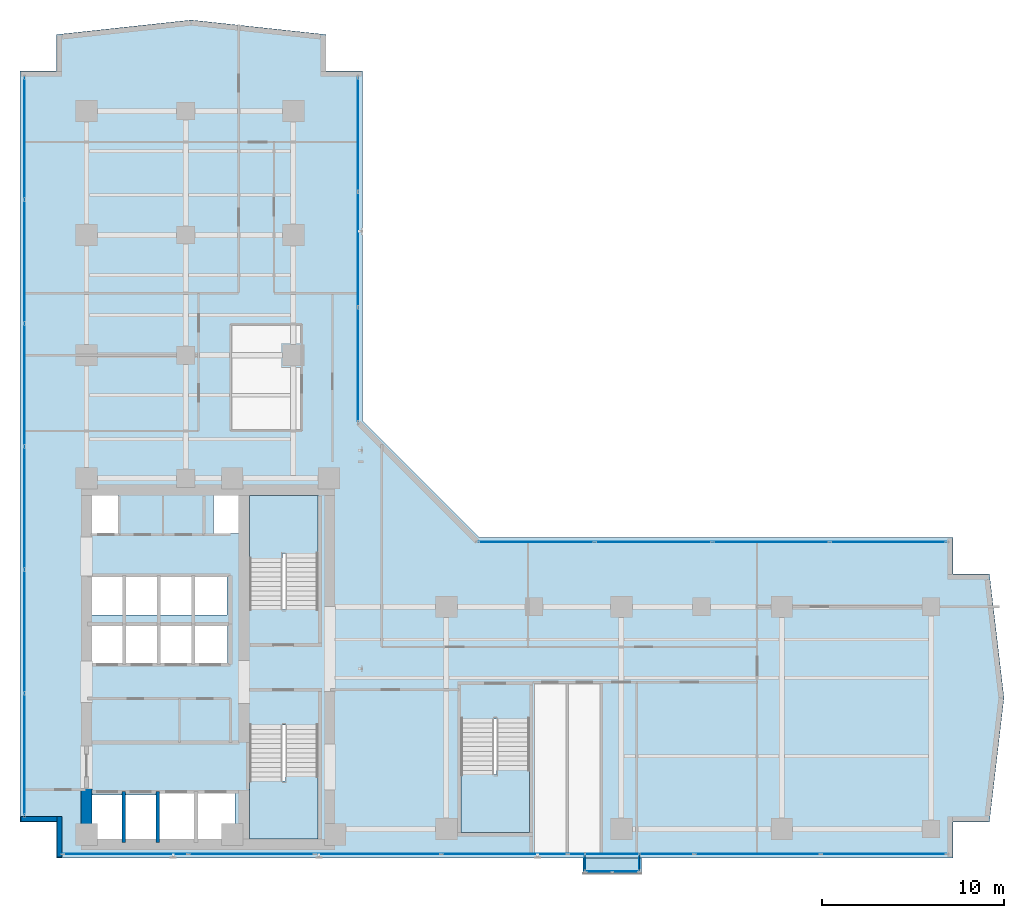
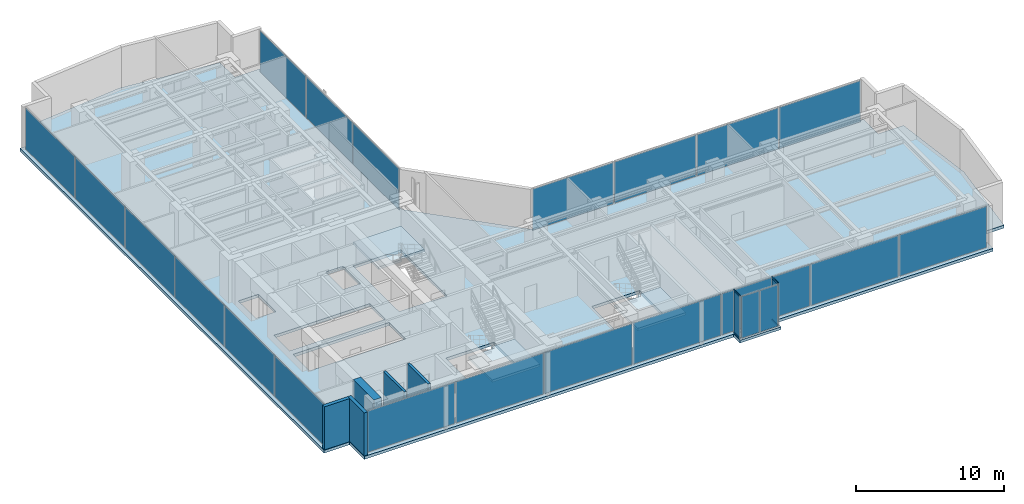
# One storey, part 19 of 27: 24 plates, 5 slabs, 5 walls, 4 members, 10 elements without a shape of their own.
"""IFC4 building model written with IfcOpenShell, lengths in metres."""

from ifc_helpers import new_model, si_unit, direction, frame, frame_2d, origin, origin_with_axes, origin_2d, place, context, subcontext, project, spatial, polyline, rectangle, hollow_rectangle, outline, extrude, source, transform, mapped, material, layer, layer_set, material_profile, profile_set, type_object, element, aggregate, save


model = new_model("IFC4")

# Units and contexts
model_context = context("Model", 3, precision=1e-05, world=origin(), true_north=direction((0.0, 1.0)))
body_context = subcontext(model_context, "Body", "Model", "MODEL_VIEW")
ifc_project = project(units=[si_unit("LENGTHUNIT", "METRE"), si_unit("AREAUNIT", "SQUARE_METRE"), si_unit("VOLUMEUNIT", "CUBIC_METRE"), si_unit("PLANEANGLEUNIT", "RADIAN"), si_unit("MASSUNIT", "GRAM", prefix="KILO")], contexts=[model_context])

# Site, building, storey
site_placement = place(None, origin())
site = spatial("IfcSite", under=ifc_project, at=site_placement, CompositionType="ELEMENT")
building_placement = place(site_placement, origin())
building = spatial("IfcBuilding", under=site, at=building_placement, Name="Kolvaren Waterfront Exchange", CompositionType="ELEMENT")
storey_placement = place(building_placement, frame((0.0, 0.0, 161.39990234375)))
storey = spatial("IfcBuildingStorey", under=building, at=storey_placement, Name="L41", CompositionType="ELEMENT", Elevation=161.39990234375)

# Curtain wall, members
ifc_material_1 = material(Name="Anodised bronze aluminium 6063-T6", Category="aluminium")
ifc_layer_1 = layer(ifc_material_1, 0.219970703125, Name="Anodised bronze aluminium 6063-T6")
ifc_layer_set_1 = layer_set([ifc_layer_1], Name="Anodised bronze aluminium 6063-T6")
curtain_wall_type_1 = type_object("IfcCurtainWallType", Name="ARC-CW-SYS3", PredefinedType="USERDEFINED", material=ifc_layer_set_1)
curtain_wall_1_placement = place(storey_placement, origin())
curtain_wall_1 = element("IfcCurtainWall", 1, at=curtain_wall_1_placement, inside=storey, type_object=curtain_wall_type_1, Name="L41 stick curtain wall CW3 (CW-L41-BOX-W)", ObjectType="STICK CURTAIN WALL", PredefinedType="USERDEFINED")
ifc_material_profile = material_profile(ifc_material_1, hollow_rectangle(XDim=0.06494140625, YDim=0.1298828125, WallThickness=0.00390625, at=origin_2d()), Name="ALU-TRN-130x65x4")
ifc_profile_set = profile_set([ifc_material_profile], Name="Anodised bronze aluminium 6063-T6")
member_type = type_object("IfcMemberType", Name="ARC-CWT-130", PredefinedType="USERDEFINED", material=ifc_profile_set)
shared_shape_1 = source(origin_with_axes(), body_context, "Body", "SweptSolid", [
    extrude(hollow_rectangle(XDim=0.06494140625, YDim=0.1298828125, WallThickness=0.00390625, at=origin_2d()), origin(), (0.0, 0.0, 1.0), 0.829833984375),
])
member_1_placement = place(storey_placement, frame((34.81005859375, 3.764892578125, 0.03271484375), z_axis=(0.0, -1.0, 0.0), x_axis=(1.0, 0.0, 0.0)))
member_1 = element("IfcMember", 2, at=member_1_placement, type_object=member_type, Name="CW3 transom 1.1", ObjectType="TRANSOM", PredefinedType="USERDEFINED", context=body_context, shape_type="MappedRepresentation", body=[
    mapped(shared_shape_1, transform((0.0, 0.0, 0.0), x_axis=(1.0, 0.0, 0.0), y_axis=(0.0, 1.0, 0.0), z_axis=(0.0, 0.0, 1.0), scale=1.0)),
])
member_2_placement = place(storey_placement, frame((34.81005859375, 3.764892578125, 3.527587890625), z_axis=(0.0, -1.0, 0.0), x_axis=(1.0, 0.0, 0.0)))
member_2 = element("IfcMember", 3, at=member_2_placement, type_object=member_type, Name="CW3 transom 1.2", ObjectType="TRANSOM", PredefinedType="USERDEFINED", context=body_context, shape_type="MappedRepresentation", body=[
    mapped(shared_shape_1, transform((0.0, 0.0, 0.0), x_axis=(1.0, 0.0, 0.0), y_axis=(0.0, 1.0, 0.0), z_axis=(0.0, 0.0, 1.0), scale=1.0)),
])

curtain_wall_2_placement = place(storey_placement, origin())
curtain_wall_2 = element("IfcCurtainWall", 4, at=curtain_wall_2_placement, inside=storey, type_object=curtain_wall_type_1, Name="L41 stick curtain wall CW3 (CW-L41-BOX-E)", ObjectType="STICK CURTAIN WALL", PredefinedType="USERDEFINED")
member_3_placement = place(storey_placement, frame((37.7900390625, 2.93505859375, 0.03271484375), z_axis=(0.0, 1.0, 0.0), x_axis=(-1.0, 0.0, 0.0)))
member_3 = element("IfcMember", 5, at=member_3_placement, type_object=member_type, Name="CW3 transom 1.1", ObjectType="TRANSOM", PredefinedType="USERDEFINED", context=body_context, shape_type="MappedRepresentation", body=[
    mapped(shared_shape_1, transform((0.0, 0.0, 0.0), x_axis=(1.0, 0.0, 0.0), y_axis=(0.0, 1.0, 0.0), z_axis=(0.0, 0.0, 1.0), scale=1.0)),
])
member_4_placement = place(storey_placement, frame((37.7900390625, 2.93505859375, 3.527587890625), z_axis=(0.0, 1.0, 0.0), x_axis=(-1.0, 0.0, 0.0)))
member_4 = element("IfcMember", 6, at=member_4_placement, type_object=member_type, Name="CW3 transom 1.2", ObjectType="TRANSOM", PredefinedType="USERDEFINED", context=body_context, shape_type="MappedRepresentation", body=[
    mapped(shared_shape_1, transform((0.0, 0.0, 0.0), x_axis=(1.0, 0.0, 0.0), y_axis=(0.0, 1.0, 0.0), z_axis=(0.0, 0.0, 1.0), scale=1.0)),
])

# Stair, slab
ifc_material_2 = material(Name="Concrete C40/50", Category="concrete")
stair_type = type_object("IfcStairType", Name="ARC-STAIR-3800", PredefinedType="HALF_TURN_STAIR", material=ifc_material_2)
stair_1_placement = place(storey_placement, origin())
stair_1 = element("IfcStair", 7, at=stair_1_placement, inside=storey, type_object=stair_type, Name="L41 Smoke-proof exit stair ST1", PredefinedType="HALF_TURN_STAIR")
ifc_layer_2 = layer(ifc_material_2, 0.199951171875, Name="Concrete C40/50")
ifc_layer_set_2 = layer_set([ifc_layer_2], Name="Concrete C40/50")
slab_type_1 = type_object("IfcSlabType", Name="STR-LANDING-200", PredefinedType="LANDING", material=ifc_layer_set_2)
slab_1_placement = place(storey_placement, frame((0.0, 0.0, 1.776123046875)))
slab_1 = element("IfcSlab", 8, at=slab_1_placement, type_object=slab_type_1, Name="ST1 landing 1", PredefinedType="LANDING", context=body_context, shape_type="SweptSolid", body=[
    extrude(outline(polyline([(16.39990234375, 7.840087890625), (16.39990234375, 4.64990234375), (20.159912109375, 4.64990234375), (20.159912109375, 8.10009765625), (18.360107421875, 8.10009765625), (18.360107421875, 7.840087890625), (16.39990234375, 7.840087890625)])), origin(), (0.0, 0.0, 1.0), 0.199951171875),
])
aggregate(stair_1, [slab_1])

stair_2_placement = place(storey_placement, origin())
stair_2 = element("IfcStair", 9, at=stair_2_placement, inside=storey, type_object=stair_type, Name="L41 Smoke-proof exit stair ST2", PredefinedType="HALF_TURN_STAIR")
slab_2_placement = place(storey_placement, frame((0.0, 0.0, 1.776123046875)))
slab_2 = element("IfcSlab", 10, at=slab_2_placement, type_object=slab_type_1, Name="ST2 landing 1", PredefinedType="LANDING", context=body_context, shape_type="SweptSolid", body=[
    extrude(outline(polyline([(20.159912109375, 20.31005859375), (20.159912109375, 23.5), (16.39990234375, 23.5), (16.39990234375, 20.050048828125), (18.199951171875, 20.050048828125), (18.199951171875, 20.31005859375), (20.159912109375, 20.31005859375)])), origin(), (0.0, 0.0, 1.0), 0.199951171875),
])
aggregate(stair_2, [slab_2])

stair_3_placement = place(storey_placement, origin())
stair_3 = element("IfcStair", 11, at=stair_3_placement, inside=storey, type_object=stair_type, Name="L41 Exit stair ST3", PredefinedType="HALF_TURN_STAIR")
slab_3_placement = place(storey_placement, frame((0.0, 0.0, 1.776123046875)))
slab_3 = element("IfcSlab", 12, at=slab_3_placement, type_object=slab_type_1, Name="ST3 landing 1", PredefinedType="LANDING", context=body_context, shape_type="SweptSolid", body=[
    extrude(outline(polyline([(28.0, 8.18994140625), (28.0, 5.0), (31.760009765625, 5.0), (31.760009765625, 8.449951171875), (29.9599609375, 8.449951171875), (29.9599609375, 8.18994140625), (28.0, 8.18994140625)])), origin(), (0.0, 0.0, 1.0), 0.199951171875),
])
aggregate(stair_3, [slab_3])

# Slabs
ifc_layer_3 = layer(ifc_material_2, 0.239990234375, Name="Concrete C40/50")
ifc_layer_set_3 = layer_set([ifc_layer_3], Name="Concrete C40/50")
slab_type_2 = type_object("IfcSlabType", Name="STR-SLAB-240", PredefinedType="FLOOR", material=ifc_layer_set_3)
slab_4_placement = place(storey_placement, frame((0.0, 0.0, -0.239990234375)))
element("IfcSlab", 13, at=slab_4_placement, inside=storey, type_object=slab_type_2, Name="L41 structural floor slab", PredefinedType="FLOOR", context=body_context, shape_type="SweptSolid", body=[
    extrude(outline(polyline([(5.800048828125, 3.60009765625), (55.0, 3.60009765625), (55.0, 5.60009765625), (57.0, 5.60009765625), (57.800048828125, 12.39990234375), (57.0, 19.199951171875), (55.0, 19.199951171875), (55.0, 21.199951171875), (29.0, 21.199951171875), (22.60009765625, 27.60009765625), (22.60009765625, 46.800048828125), (20.60009765625, 46.800048828125), (20.60009765625, 48.800048828125), (13.199951171875, 49.60009765625), (5.800048828125, 48.800048828125), (5.800048828125, 46.800048828125), (3.800048828125, 46.800048828125), (3.800048828125, 5.60009765625), (5.800048828125, 5.60009765625), (5.800048828125, 3.60009765625)]), holes=[polyline([(11.320068359375, 7.260009765625), (15.610107421875, 7.260009765625), (15.610107421875, 4.5400390625), (7.719970703125, 4.5400390625), (7.719970703125, 7.06005859375), (11.320068359375, 7.06005859375), (11.320068359375, 7.260009765625)]), polyline([(20.159912109375, 10.89990234375), (20.159912109375, 4.64990234375), (16.39990234375, 4.64990234375), (16.39990234375, 10.89990234375), (20.159912109375, 10.89990234375)]), polyline([(31.760009765625, 11.25), (31.760009765625, 5.0), (28.0, 5.0), (28.0, 11.25), (31.760009765625, 11.25)]), polyline([(15.18505859375, 14.239990234375), (7.64501953125, 14.239990234375), (7.64501953125, 16.4599609375), (15.18505859375, 16.4599609375), (15.18505859375, 14.239990234375)]), polyline([(15.159912109375, 16.93994140625), (7.669921875, 16.93994140625), (7.669921875, 19.06005859375), (15.159912109375, 19.06005859375), (15.159912109375, 16.93994140625)]), polyline([(16.39990234375, 23.5), (20.159912109375, 23.5), (20.159912109375, 17.25), (16.39990234375, 17.25), (16.39990234375, 23.5)]), polyline([(7.60009765625, 23.780029296875), (9.179931640625, 23.780029296875), (9.179931640625, 21.419921875), (7.60009765625, 21.419921875), (7.60009765625, 23.780029296875)]), polyline([(15.800048828125, 23.780029296875), (15.800048828125, 21.419921875), (14.419921875, 21.419921875), (14.419921875, 23.780029296875), (15.800048828125, 23.780029296875)])]), origin(), (0.0, 0.0, 1.0), 0.239990234375),
])
ifc_layer_4 = layer(ifc_material_2, 0.219970703125, Name="Concrete C40/50")
ifc_layer_set_4 = layer_set([ifc_layer_4], Name="Concrete C40/50")
slab_type_3 = type_object("IfcSlabType", Name="STR-TERR-220", PredefinedType="FLOOR", material=ifc_layer_set_4)
slab_5_placement = place(storey_placement, frame((0.0, 0.0, -0.219970703125)))
element("IfcSlab", 14, at=slab_5_placement, inside=storey, type_object=slab_type_3, Name="L41 projecting bay-box floor strip", PredefinedType="FLOOR", context=body_context, shape_type="SweptSolid", body=[
    extrude(outline(polyline([(34.699951171875, 2.75), (37.89990234375, 2.75), (37.89990234375, 3.60009765625), (34.699951171875, 3.60009765625), (34.699951171875, 2.75)])), origin(), (0.0, 0.0, 1.0), 0.219970703125),
])

# Plate
ifc_material_3 = material(Name="Bronze tinted bay-box vision glass", Category="aluminium")
ifc_layer_5 = layer(ifc_material_3, 0.02392578125, Name="Bronze tinted bay-box vision glass")
ifc_layer_set_5 = layer_set([ifc_layer_5], Name="Bronze tinted bay-box vision glass")
plate_type_1 = type_object("IfcPlateType", Name="ARC-CWP-24", PredefinedType="CURTAIN_PANEL", material=ifc_layer_set_5)
shared_shape_2 = source(origin_with_axes(), body_context, "Body", "SweptSolid", [
    extrude(rectangle(XDim=0.830078125, YDim=0.02392578125, at=origin_2d()), origin(), (0.0, 0.0, 1.0), 3.429931640625),
])
plate_1_placement = place(storey_placement, frame((34.81005859375, 3.35009765625, 0.06494140625), z_axis=(0.0, 0.0, 1.0), x_axis=(0.0, -1.0, 0.0)))
plate_1 = element("IfcPlate", 15, at=plate_1_placement, type_object=plate_type_1, Name="CW3 panel 1.1", PredefinedType="CURTAIN_PANEL", context=body_context, shape_type="MappedRepresentation", body=[
    mapped(shared_shape_2, transform((0.0, 0.0, 0.0), x_axis=(1.0, 0.0, 0.0), y_axis=(0.0, 1.0, 0.0), z_axis=(0.0, 0.0, 1.0), scale=1.0)),
])

aggregate(curtain_wall_1, [member_1, member_2, plate_1])

plate_2_placement = place(storey_placement, frame((37.7900390625, 3.35009765625, 0.06494140625), z_axis=(0.0, 0.0, 1.0), x_axis=(0.0, 1.0, 0.0)))
plate_2 = element("IfcPlate", 16, at=plate_2_placement, type_object=plate_type_1, Name="CW3 panel 1.1", PredefinedType="CURTAIN_PANEL", context=body_context, shape_type="MappedRepresentation", body=[
    mapped(shared_shape_2, transform((0.0, 0.0, 0.0), x_axis=(1.0, 0.0, 0.0), y_axis=(0.0, 1.0, 0.0), z_axis=(0.0, 0.0, 1.0), scale=1.0)),
])

aggregate(curtain_wall_2, [member_3, member_4, plate_2])

# Curtain wall, plates
curtain_wall_3_placement = place(storey_placement, origin())
curtain_wall_3 = element("IfcCurtainWall", 17, at=curtain_wall_3_placement, inside=storey, type_object=curtain_wall_type_1, Name="L41 stick curtain wall CW3 (CW-L41-BOX)", ObjectType="STICK CURTAIN WALL", PredefinedType="USERDEFINED")
shared_shape_3 = source(origin_with_axes(), body_context, "Body", "SweptSolid", [
    extrude(rectangle(XDim=1.37744140625, YDim=0.02392578125, at=origin_2d()), origin(), (0.0, 0.0, 1.0), 3.429931640625),
])
plate_3_placement = place(storey_placement, frame((35.57373046875, 2.860107421875, 0.06494140625), z_axis=(0.0, 0.0, 1.0), x_axis=(1.0, 0.0, 0.0)))
plate_3 = element("IfcPlate", 18, at=plate_3_placement, type_object=plate_type_1, Name="CW3 panel 1.1", PredefinedType="CURTAIN_PANEL", context=body_context, shape_type="MappedRepresentation", body=[
    mapped(shared_shape_3, transform((0.0, 0.0, 0.0), x_axis=(1.0, 0.0, 0.0), y_axis=(0.0, 1.0, 0.0), z_axis=(0.0, 0.0, 1.0), scale=1.0)),
])
plate_4_placement = place(storey_placement, frame((37.0263671875, 2.860107421875, 0.06494140625), z_axis=(0.0, 0.0, 1.0), x_axis=(1.0, 0.0, 0.0)))
plate_4 = element("IfcPlate", 19, at=plate_4_placement, type_object=plate_type_1, Name="CW3 panel 2.1", PredefinedType="CURTAIN_PANEL", context=body_context, shape_type="MappedRepresentation", body=[
    mapped(shared_shape_3, transform((0.0, 0.0, 0.0), x_axis=(1.0, 0.0, 0.0), y_axis=(0.0, 1.0, 0.0), z_axis=(0.0, 0.0, 1.0), scale=1.0)),
])
aggregate(curtain_wall_3, [plate_3, plate_4])

ifc_layer_6 = layer(ifc_material_1, 0.219970703125, Name="Anodised bronze aluminium 6063-T6")
ifc_layer_set_6 = layer_set([ifc_layer_6], Name="Anodised bronze aluminium 6063-T6")
curtain_wall_type_2 = type_object("IfcCurtainWallType", Name="ARC-CW-SYS1", PredefinedType="USERDEFINED", material=ifc_layer_set_6)
curtain_wall_4_placement = place(storey_placement, origin())
curtain_wall_4 = element("IfcCurtainWall", 20, at=curtain_wall_4_placement, inside=storey, type_object=curtain_wall_type_2, Name="L41 stick curtain wall CW1 (CW-L41-S)", ObjectType="STICK CURTAIN WALL", PredefinedType="USERDEFINED")
ifc_material_4 = material(Name="Bronze solar control vision glass", Category="aluminium")
ifc_layer_7 = layer(ifc_material_4, 0.028076171875, Name="Bronze solar control vision glass")
ifc_layer_set_7 = layer_set([ifc_layer_7], Name="Bronze solar control vision glass")
plate_type_2 = type_object("IfcPlateType", Name="ARC-CWP-28", PredefinedType="CURTAIN_PANEL", material=ifc_layer_set_7)
shared_shape_4 = source(origin_with_axes(), body_context, "Body", "SweptSolid", [
    extrude(rectangle(XDim=6.82275390625, YDim=0.028076171875, at=origin_2d()), origin(), (0.0, 0.0, 1.0), 3.409912109375),
])
plate_5_placement = place(storey_placement, frame((9.59130859375, 3.840087890625, 0.0751953125), z_axis=(0.0, 0.0, 1.0), x_axis=(1.0, 0.0, 0.0)))
plate_5 = element("IfcPlate", 21, at=plate_5_placement, type_object=plate_type_2, Name="CW1 panel 1.1", PredefinedType="CURTAIN_PANEL", context=body_context, shape_type="MappedRepresentation", body=[
    mapped(shared_shape_4, transform((0.0, 0.0, 0.0), x_axis=(1.0, 0.0, 0.0), y_axis=(0.0, 1.0, 0.0), z_axis=(0.0, 0.0, 1.0), scale=1.0)),
])
plate_6_placement = place(storey_placement, frame((51.20849609375, 3.840087890625, 0.0751953125), z_axis=(0.0, 0.0, 1.0), x_axis=(1.0, 0.0, 0.0)))
plate_6 = element("IfcPlate", 22, at=plate_6_placement, type_object=plate_type_2, Name="CW1 panel 7.1", PredefinedType="CURTAIN_PANEL", context=body_context, shape_type="MappedRepresentation", body=[
    mapped(shared_shape_4, transform((0.0, 0.0, 0.0), x_axis=(1.0, 0.0, 0.0), y_axis=(0.0, 1.0, 0.0), z_axis=(0.0, 0.0, 1.0), scale=1.0)),
])
shared_shape_5 = source(origin_with_axes(), body_context, "Body", "SweptSolid", [
    extrude(rectangle(XDim=6.86279296875, YDim=0.028076171875, at=origin_2d()), origin(), (0.0, 0.0, 1.0), 3.409912109375),
])
plate_7_placement = place(storey_placement, frame((16.514404296875, 3.840087890625, 0.0751953125), z_axis=(0.0, 0.0, 1.0), x_axis=(1.0, 0.0, 0.0)))
plate_7 = element("IfcPlate", 23, at=plate_7_placement, type_object=plate_type_2, Name="CW1 panel 2.1", PredefinedType="CURTAIN_PANEL", context=body_context, shape_type="MappedRepresentation", body=[
    mapped(shared_shape_5, transform((0.0, 0.0, 0.0), x_axis=(1.0, 0.0, 0.0), y_axis=(0.0, 1.0, 0.0), z_axis=(0.0, 0.0, 1.0), scale=1.0)),
])
plate_8_placement = place(storey_placement, frame((23.45703125, 3.840087890625, 0.0751953125), z_axis=(0.0, 0.0, 1.0), x_axis=(1.0, 0.0, 0.0)))
plate_8 = element("IfcPlate", 24, at=plate_8_placement, type_object=plate_type_2, Name="CW1 panel 3.1", PredefinedType="CURTAIN_PANEL", context=body_context, shape_type="MappedRepresentation", body=[
    mapped(shared_shape_5, transform((0.0, 0.0, 0.0), x_axis=(1.0, 0.0, 0.0), y_axis=(0.0, 1.0, 0.0), z_axis=(0.0, 0.0, 1.0), scale=1.0)),
])
plate_9_placement = place(storey_placement, frame((30.39990234375, 3.840087890625, 0.0751953125), z_axis=(0.0, 0.0, 1.0), x_axis=(1.0, 0.0, 0.0)))
plate_9 = element("IfcPlate", 25, at=plate_9_placement, type_object=plate_type_2, Name="CW1 panel 4.1", PredefinedType="CURTAIN_PANEL", context=body_context, shape_type="MappedRepresentation", body=[
    mapped(shared_shape_5, transform((0.0, 0.0, 0.0), x_axis=(1.0, 0.0, 0.0), y_axis=(0.0, 1.0, 0.0), z_axis=(0.0, 0.0, 1.0), scale=1.0)),
])
plate_10_placement = place(storey_placement, frame((37.3427734375, 3.840087890625, 0.0751953125), z_axis=(0.0, 0.0, 1.0), x_axis=(1.0, 0.0, 0.0)))
plate_10 = element("IfcPlate", 26, at=plate_10_placement, type_object=plate_type_2, Name="CW1 panel 5.1", PredefinedType="CURTAIN_PANEL", context=body_context, shape_type="MappedRepresentation", body=[
    mapped(shared_shape_5, transform((0.0, 0.0, 0.0), x_axis=(1.0, 0.0, 0.0), y_axis=(0.0, 1.0, 0.0), z_axis=(0.0, 0.0, 1.0), scale=1.0)),
])
plate_11_placement = place(storey_placement, frame((44.28564453125, 3.840087890625, 0.0751953125), z_axis=(0.0, 0.0, 1.0), x_axis=(1.0, 0.0, 0.0)))
plate_11 = element("IfcPlate", 27, at=plate_11_placement, type_object=plate_type_2, Name="CW1 panel 6.1", PredefinedType="CURTAIN_PANEL", context=body_context, shape_type="MappedRepresentation", body=[
    mapped(shared_shape_5, transform((0.0, 0.0, 0.0), x_axis=(1.0, 0.0, 0.0), y_axis=(0.0, 1.0, 0.0), z_axis=(0.0, 0.0, 1.0), scale=1.0)),
])
aggregate(curtain_wall_4, [plate_5, plate_7, plate_8, plate_9, plate_10, plate_11, plate_6])

curtain_wall_5_placement = place(storey_placement, origin())
curtain_wall_5 = element("IfcCurtainWall", 28, at=curtain_wall_5_placement, inside=storey, type_object=curtain_wall_type_2, Name="L41 stick curtain wall CW1 (CW-L41-NE)", ObjectType="STICK CURTAIN WALL", PredefinedType="USERDEFINED")
shared_shape_6 = source(origin_with_axes(), body_context, "Body", "SweptSolid", [
    extrude(rectangle(XDim=6.216552734375, YDim=0.028076171875, at=origin_2d()), origin(), (0.0, 0.0, 1.0), 3.409912109375),
])
plate_12_placement = place(storey_placement, frame((22.360107421875, 30.67822265625, 0.0751953125), z_axis=(0.0, 0.0, 1.0), x_axis=(0.0, 1.0, 0.0)))
plate_12 = element("IfcPlate", 29, at=plate_12_placement, type_object=plate_type_2, Name="CW1 panel 1.1", PredefinedType="CURTAIN_PANEL", context=body_context, shape_type="MappedRepresentation", body=[
    mapped(shared_shape_6, transform((0.0, 0.0, 0.0), x_axis=(1.0, 0.0, 0.0), y_axis=(0.0, 1.0, 0.0), z_axis=(0.0, 0.0, 1.0), scale=1.0)),
])
plate_13_placement = place(storey_placement, frame((22.360107421875, 43.311767578125, 0.0751953125), z_axis=(0.0, 0.0, 1.0), x_axis=(0.0, 1.0, 0.0)))
plate_13 = element("IfcPlate", 30, at=plate_13_placement, type_object=plate_type_2, Name="CW1 panel 3.1", PredefinedType="CURTAIN_PANEL", context=body_context, shape_type="MappedRepresentation", body=[
    mapped(shared_shape_6, transform((0.0, 0.0, 0.0), x_axis=(1.0, 0.0, 0.0), y_axis=(0.0, 1.0, 0.0), z_axis=(0.0, 0.0, 1.0), scale=1.0)),
])
shared_shape_7 = source(origin_with_axes(), body_context, "Body", "SweptSolid", [
    extrude(rectangle(XDim=6.256591796875, YDim=0.028076171875, at=origin_2d()), origin(), (0.0, 0.0, 1.0), 3.409912109375),
])
plate_14_placement = place(storey_placement, frame((22.360107421875, 36.9951171875, 0.0751953125), z_axis=(0.0, 0.0, 1.0), x_axis=(0.0, 1.0, 0.0)))
plate_14 = element("IfcPlate", 31, at=plate_14_placement, type_object=plate_type_2, Name="CW1 panel 2.1", PredefinedType="CURTAIN_PANEL", context=body_context, shape_type="MappedRepresentation", body=[
    mapped(shared_shape_7, transform((0.0, 0.0, 0.0), x_axis=(1.0, 0.0, 0.0), y_axis=(0.0, 1.0, 0.0), z_axis=(0.0, 0.0, 1.0), scale=1.0)),
])
aggregate(curtain_wall_5, [plate_12, plate_14, plate_13])

curtain_wall_6_placement = place(storey_placement, origin())
curtain_wall_6 = element("IfcCurtainWall", 32, at=curtain_wall_6_placement, inside=storey, type_object=curtain_wall_type_2, Name="L41 stick curtain wall CW1 (CW-L41-EN)", ObjectType="STICK CURTAIN WALL", PredefinedType="USERDEFINED")
shared_shape_8 = source(origin_with_axes(), body_context, "Body", "SweptSolid", [
    extrude(rectangle(XDim=6.33251953125, YDim=0.028076171875, at=origin_2d()), origin(), (0.0, 0.0, 1.0), 3.409912109375),
])
plate_15_placement = place(storey_placement, frame((32.13623046875, 20.9599609375, 0.0751953125), z_axis=(0.0, 0.0, 1.0), x_axis=(1.0, 0.0, 0.0)))
plate_15 = element("IfcPlate", 33, at=plate_15_placement, type_object=plate_type_2, Name="CW1 panel 1.1", PredefinedType="CURTAIN_PANEL", context=body_context, shape_type="MappedRepresentation", body=[
    mapped(shared_shape_8, transform((0.0, 0.0, 0.0), x_axis=(1.0, 0.0, 0.0), y_axis=(0.0, 1.0, 0.0), z_axis=(0.0, 0.0, 1.0), scale=1.0)),
])
plate_16_placement = place(storey_placement, frame((51.453857421875, 20.9599609375, 0.0751953125), z_axis=(0.0, 0.0, 1.0), x_axis=(1.0, 0.0, 0.0)))
plate_16 = element("IfcPlate", 34, at=plate_16_placement, type_object=plate_type_2, Name="CW1 panel 4.1", PredefinedType="CURTAIN_PANEL", context=body_context, shape_type="MappedRepresentation", body=[
    mapped(shared_shape_8, transform((0.0, 0.0, 0.0), x_axis=(1.0, 0.0, 0.0), y_axis=(0.0, 1.0, 0.0), z_axis=(0.0, 0.0, 1.0), scale=1.0)),
])
shared_shape_9 = source(origin_with_axes(), body_context, "Body", "SweptSolid", [
    extrude(rectangle(XDim=6.37255859375, YDim=0.028076171875, at=origin_2d()), origin(), (0.0, 0.0, 1.0), 3.409912109375),
])
plate_17_placement = place(storey_placement, frame((38.56884765625, 20.9599609375, 0.0751953125), z_axis=(0.0, 0.0, 1.0), x_axis=(1.0, 0.0, 0.0)))
plate_17 = element("IfcPlate", 35, at=plate_17_placement, type_object=plate_type_2, Name="CW1 panel 2.1", PredefinedType="CURTAIN_PANEL", context=body_context, shape_type="MappedRepresentation", body=[
    mapped(shared_shape_9, transform((0.0, 0.0, 0.0), x_axis=(1.0, 0.0, 0.0), y_axis=(0.0, 1.0, 0.0), z_axis=(0.0, 0.0, 1.0), scale=1.0)),
])
plate_18_placement = place(storey_placement, frame((45.021240234375, 20.9599609375, 0.0751953125), z_axis=(0.0, 0.0, 1.0), x_axis=(1.0, 0.0, 0.0)))
plate_18 = element("IfcPlate", 36, at=plate_18_placement, type_object=plate_type_2, Name="CW1 panel 3.1", PredefinedType="CURTAIN_PANEL", context=body_context, shape_type="MappedRepresentation", body=[
    mapped(shared_shape_9, transform((0.0, 0.0, 0.0), x_axis=(1.0, 0.0, 0.0), y_axis=(0.0, 1.0, 0.0), z_axis=(0.0, 0.0, 1.0), scale=1.0)),
])
aggregate(curtain_wall_6, [plate_15, plate_17, plate_18, plate_16])

ifc_material_5 = material(Name="Anodised aluminium 6063-T6", Category="aluminium")
ifc_layer_8 = layer(ifc_material_5, 0.219970703125, Name="Anodised aluminium 6063-T6")
ifc_layer_set_8 = layer_set([ifc_layer_8], Name="Anodised aluminium 6063-T6")
curtain_wall_type_3 = type_object("IfcCurtainWallType", Name="ARC-CW-SYS2", PredefinedType="USERDEFINED", material=ifc_layer_set_8)
curtain_wall_7_placement = place(storey_placement, origin())
curtain_wall_7 = element("IfcCurtainWall", 37, at=curtain_wall_7_placement, inside=storey, type_object=curtain_wall_type_3, Name="L41 stick curtain wall CW2 (CW-L41-W)", ObjectType="STICK CURTAIN WALL", PredefinedType="USERDEFINED")
ifc_material_6 = material(Name="Acoustic laminated vision glass", Category="glass")
ifc_layer_9 = layer(ifc_material_6, 0.031982421875, Name="Acoustic laminated vision glass")
ifc_layer_set_9 = layer_set([ifc_layer_9], Name="Acoustic laminated vision glass")
plate_type_3 = type_object("IfcPlateType", Name="ARC-CWP-32", PredefinedType="CURTAIN_PANEL", material=ifc_layer_set_9)
shared_shape_10 = source(origin_with_axes(), body_context, "Body", "SweptSolid", [
    extrude(rectangle(XDim=6.646728515625, YDim=0.031982421875, at=origin_2d()), origin(), (0.0, 0.0, 1.0), 3.409912109375),
])
plate_19_placement = place(storey_placement, frame((4.0400390625, 9.30322265625, 0.0751953125), z_axis=(0.0, 0.0, 1.0), x_axis=(0.0, 1.0, 0.0)))
plate_19 = element("IfcPlate", 38, at=plate_19_placement, type_object=plate_type_3, Name="CW2 panel 1.1", PredefinedType="CURTAIN_PANEL", context=body_context, shape_type="MappedRepresentation", body=[
    mapped(shared_shape_10, transform((0.0, 0.0, 0.0), x_axis=(1.0, 0.0, 0.0), y_axis=(0.0, 1.0, 0.0), z_axis=(0.0, 0.0, 1.0), scale=1.0)),
])
plate_20_placement = place(storey_placement, frame((4.0400390625, 43.0966796875, 0.0751953125), z_axis=(0.0, 0.0, 1.0), x_axis=(0.0, 1.0, 0.0)))
plate_20 = element("IfcPlate", 39, at=plate_20_placement, type_object=plate_type_3, Name="CW2 panel 6.1", PredefinedType="CURTAIN_PANEL", context=body_context, shape_type="MappedRepresentation", body=[
    mapped(shared_shape_10, transform((0.0, 0.0, 0.0), x_axis=(1.0, 0.0, 0.0), y_axis=(0.0, 1.0, 0.0), z_axis=(0.0, 0.0, 1.0), scale=1.0)),
])
shared_shape_11 = source(origin_with_axes(), body_context, "Body", "SweptSolid", [
    extrude(rectangle(XDim=6.686767578125, YDim=0.031982421875, at=origin_2d()), origin(), (0.0, 0.0, 1.0), 3.409912109375),
])
plate_21_placement = place(storey_placement, frame((4.0400390625, 16.050048828125, 0.0751953125), z_axis=(0.0, 0.0, 1.0), x_axis=(0.0, 1.0, 0.0)))
plate_21 = element("IfcPlate", 40, at=plate_21_placement, type_object=plate_type_3, Name="CW2 panel 2.1", PredefinedType="CURTAIN_PANEL", context=body_context, shape_type="MappedRepresentation", body=[
    mapped(shared_shape_11, transform((0.0, 0.0, 0.0), x_axis=(1.0, 0.0, 0.0), y_axis=(0.0, 1.0, 0.0), z_axis=(0.0, 0.0, 1.0), scale=1.0)),
])
plate_22_placement = place(storey_placement, frame((4.0400390625, 22.816650390625, 0.0751953125), z_axis=(0.0, 0.0, 1.0), x_axis=(0.0, 1.0, 0.0)))
plate_22 = element("IfcPlate", 41, at=plate_22_placement, type_object=plate_type_3, Name="CW2 panel 3.1", PredefinedType="CURTAIN_PANEL", context=body_context, shape_type="MappedRepresentation", body=[
    mapped(shared_shape_11, transform((0.0, 0.0, 0.0), x_axis=(1.0, 0.0, 0.0), y_axis=(0.0, 1.0, 0.0), z_axis=(0.0, 0.0, 1.0), scale=1.0)),
])
plate_23_placement = place(storey_placement, frame((4.0400390625, 29.583251953125, 0.0751953125), z_axis=(0.0, 0.0, 1.0), x_axis=(0.0, 1.0, 0.0)))
plate_23 = element("IfcPlate", 42, at=plate_23_placement, type_object=plate_type_3, Name="CW2 panel 4.1", PredefinedType="CURTAIN_PANEL", context=body_context, shape_type="MappedRepresentation", body=[
    mapped(shared_shape_11, transform((0.0, 0.0, 0.0), x_axis=(1.0, 0.0, 0.0), y_axis=(0.0, 1.0, 0.0), z_axis=(0.0, 0.0, 1.0), scale=1.0)),
])
plate_24_placement = place(storey_placement, frame((4.0400390625, 36.35009765625, 0.0751953125), z_axis=(0.0, 0.0, 1.0), x_axis=(0.0, 1.0, 0.0)))
plate_24 = element("IfcPlate", 43, at=plate_24_placement, type_object=plate_type_3, Name="CW2 panel 5.1", PredefinedType="CURTAIN_PANEL", context=body_context, shape_type="MappedRepresentation", body=[
    mapped(shared_shape_11, transform((0.0, 0.0, 0.0), x_axis=(1.0, 0.0, 0.0), y_axis=(0.0, 1.0, 0.0), z_axis=(0.0, 0.0, 1.0), scale=1.0)),
])
aggregate(curtain_wall_7, [plate_19, plate_21, plate_22, plate_23, plate_24, plate_20])

# Walls
ifc_material_7 = material(Name="Precast concrete C40/50", Category="concrete")
ifc_layer_10 = layer(ifc_material_7, 0.280029296875, Name="Precast concrete C40/50")
ifc_layer_set_10 = layer_set([ifc_layer_10], Name="Precast concrete C40/50")
wall_type_1 = type_object("IfcWallType", Name="ARC-EXT-TERR-280", PredefinedType="SOLIDWALL", material=ifc_layer_set_10)
wall_1_placement = place(storey_placement, frame((5.9599609375, 3.659912109375, 0.0), z_axis=(0.0, 0.0, 1.0), x_axis=(0.0, 1.0, 0.0)))
element("IfcWall", 44, at=wall_1_placement, inside=storey, type_object=wall_type_1, Name="L41 notched corner spandrel pier SW-A", PredefinedType="SOLIDWALL", context=body_context, shape_type="SweptSolid", body=[
    extrude(rectangle(XDim=2.239990234375, YDim=0.280029296875, at=frame_2d((1.1201171875, 0.0))), origin(), (0.0, 0.0, 1.0), 3.56005859375),
])
wall_2_placement = place(storey_placement, frame((3.860107421875, 5.760009765625, 0.0), z_axis=(0.0, 0.0, 1.0), x_axis=(1.0, 0.0, 0.0)))
element("IfcWall", 45, at=wall_2_placement, inside=storey, type_object=wall_type_1, Name="L41 notched corner spandrel pier SW-B", PredefinedType="SOLIDWALL", context=body_context, shape_type="SweptSolid", body=[
    extrude(rectangle(XDim=1.9599609375, YDim=0.280029296875, at=frame_2d((0.97998046875, 0.0))), origin(), (0.0, 0.0, 1.0), 3.56005859375),
])
ifc_layer_11 = layer(ifc_material_2, 0.199951171875, Name="Concrete C40/50")
ifc_layer_set_11 = layer_set([ifc_layer_11], Name="Concrete C40/50")
wall_type_2 = type_object("IfcWallType", Name="ARC-SHAFT-200", PredefinedType="PARTITIONING", material=ifc_layer_set_11)
for number, where, z_axis, x_axis, name in (
    (46, (9.5, 4.449951171875, 0.0), (0.0, 0.0, 1.0), (0.0, 1.0, 0.0), "L41 interior wall PW-L41-SH1-DIV-95"),
    (47, (11.360107421875, 4.449951171875, 0.0), (0.0, 0.0, 1.0), (0.0, 1.0, 0.0), "L41 interior wall PW-L41-SH1-DIV-113"),
):
    element("IfcWall", number, at=place(storey_placement, frame(where, z_axis=z_axis, x_axis=x_axis)), inside=storey, type_object=wall_type_2, Name=name, PredefinedType="PARTITIONING", context=body_context, shape_type="SweptSolid", body=[
        extrude(rectangle(XDim=2.800048828125, YDim=0.199951171875, at=frame_2d((1.39990234375, 0.0))), origin(), (0.0, 0.0, 1.0), 3.56005859375),
    ])
ifc_material_8 = material(Name="Concrete C60/75", Category="concrete")
ifc_layer_12 = layer(ifc_material_8, 0.60009765625, Name="Concrete C60/75")
ifc_layer_set_12 = layer_set([ifc_layer_12], Name="Concrete C60/75")
wall_type_3 = type_object("IfcWallType", Name="STR-CWALL-600", PredefinedType="SHEAR", material=ifc_layer_set_12)
wall_3_placement = place(storey_placement, frame((7.449951171875, 4.64990234375, 0.0), z_axis=(0.0, 0.0, 1.0), x_axis=(0.0, 1.0, 0.0)))
element("IfcWall", 48, at=wall_3_placement, inside=storey, type_object=wall_type_3, Name="L41 rear-core shear wall W1", PredefinedType="SHEAR", context=body_context, shape_type="SweptSolid", body=[
    extrude(rectangle(XDim=2.800048828125, YDim=0.60009765625, at=frame_2d((1.39990234375, 0.0))), origin(), (0.0, 0.0, 1.0), 3.56005859375),
])

save(model, "model.ifc")
